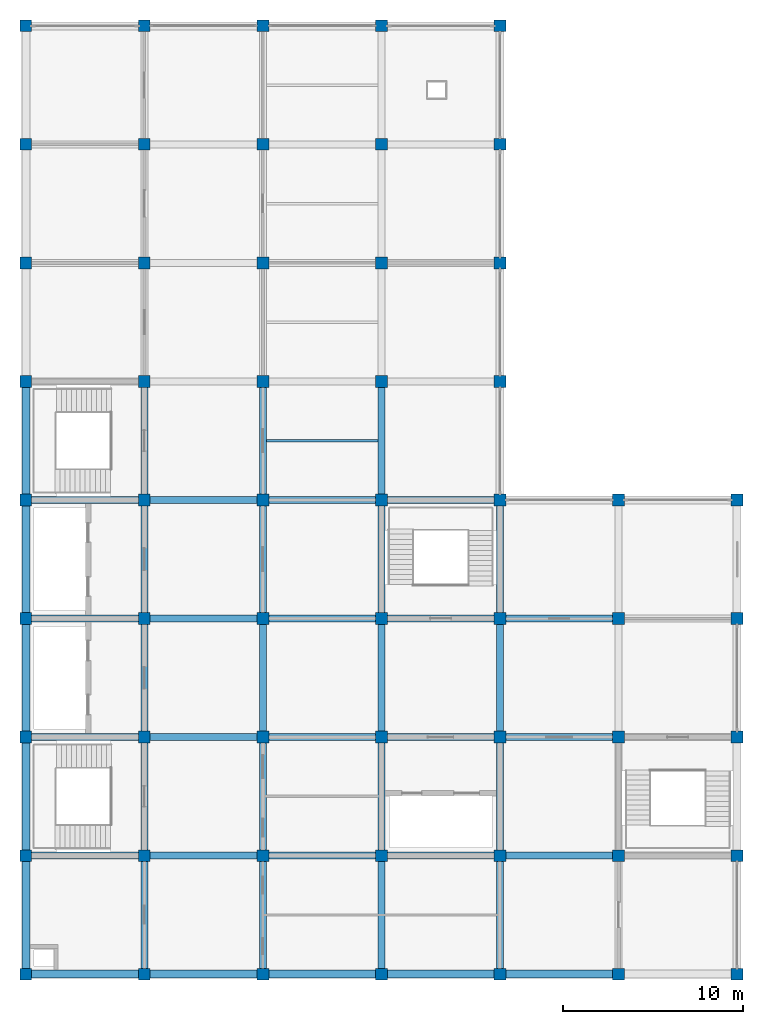
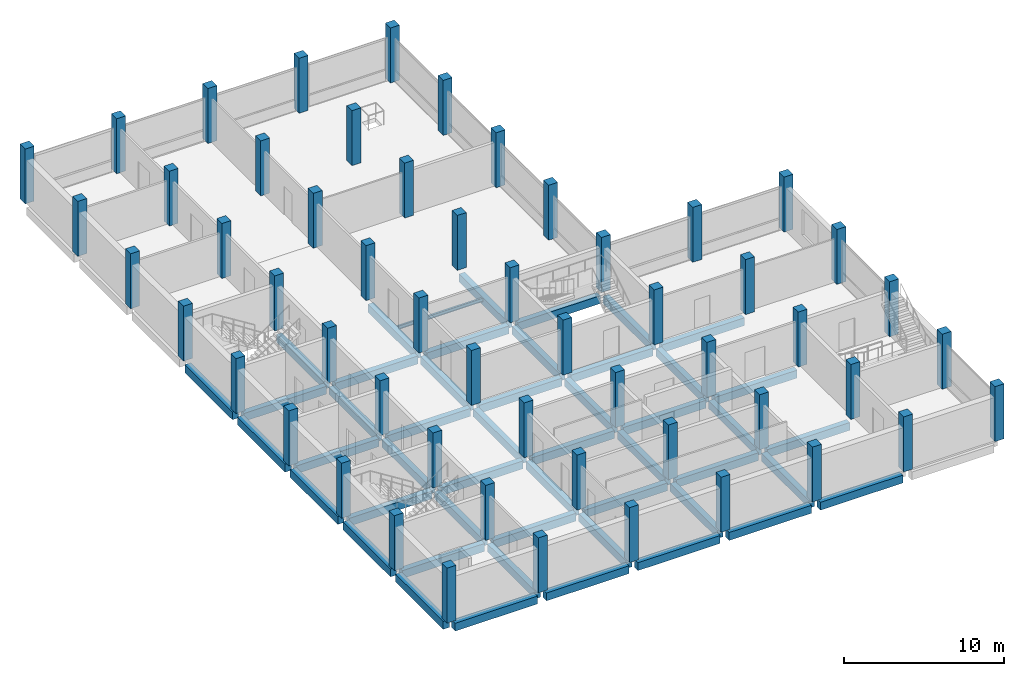
# One storey, part 1 of 9: 55 columns, 49 beams.
"""IFC4 building model written with IfcOpenShell, lengths in metres."""

from ifc_helpers import new_model, si_unit, direction, frame, origin, origin_2d, place, context, subcontext, project, spatial, rectangle, i_section, extrude, material, material_profile, profile_set, type_object, element, save


model = new_model("IFC4")

# Units and contexts
model_context = context("Model", 3, precision=1e-05, world=origin(), true_north=direction((0.0, 1.0)))
body_context = subcontext(model_context, "Body", "Model", "MODEL_VIEW")
ifc_project = project(units=[si_unit("LENGTHUNIT", "METRE"), si_unit("AREAUNIT", "SQUARE_METRE"), si_unit("VOLUMEUNIT", "CUBIC_METRE"), si_unit("PLANEANGLEUNIT", "RADIAN"), si_unit("MASSUNIT", "GRAM", prefix="KILO")], contexts=[model_context])

# Site, building, storey
site_placement = place(None, origin())
site = spatial("IfcSite", under=ifc_project, at=site_placement, CompositionType="ELEMENT")
building_placement = place(site_placement, origin())
building = spatial("IfcBuilding", under=site, at=building_placement, Name="Rusizi Kubbe Research Institute", CompositionType="ELEMENT")
storey_placement = place(building_placement, frame((0.0, 0.0, 60.60009765625)))
storey = spatial("IfcBuildingStorey", under=building, at=storey_placement, Name="L14", CompositionType="ELEMENT", Elevation=60.60009765625)

# Columns
ifc_material_1 = material(Name="Concrete C40/50", Category="concrete")
ifc_material_profile_1 = material_profile(ifc_material_1, rectangle(XDim=0.64990234375, YDim=0.64990234375, at=origin_2d()), Name="RC650x650")
ifc_profile_set_1 = profile_set([ifc_material_profile_1], Name="Concrete C40/50")
column_type = type_object("IfcColumnType", Name="COL-650", PredefinedType="COLUMN", material=ifc_profile_set_1)
for number, where, z_axis, x_axis, name in (
    (1, (0.0, 0.0, 0.0), (0.0, 0.0, 1.0), (1.0, 0.0, 0.0), "Column 1A L14"),
    (2, (0.0, 6.60009765625, 0.0), (0.0, 0.0, 1.0), (1.0, 0.0, 0.0), "Column 1B L14"),
    (3, (0.0, 13.199951171875, 0.0), (0.0, 0.0, 1.0), (1.0, 0.0, 0.0), "Column 1C L14"),
    (4, (0.0, 19.800048828125, 0.0), (0.0, 0.0, 1.0), (1.0, 0.0, 0.0), "Column 1D L14"),
    (5, (0.0, 26.39990234375, 0.0), (0.0, 0.0, 1.0), (1.0, 0.0, 0.0), "Column 1E L14"),
    (6, (0.0, 33.0, 0.0), (0.0, 0.0, 1.0), (1.0, 0.0, 0.0), "Column 1F L14"),
    (7, (0.0, 39.60009765625, 0.0), (0.0, 0.0, 1.0), (1.0, 0.0, 0.0), "Column 1G L14"),
    (8, (0.0, 46.199951171875, 0.0), (0.0, 0.0, 1.0), (1.0, 0.0, 0.0), "Column 1H L14"),
    (9, (0.0, 52.800048828125, 0.0), (0.0, 0.0, 1.0), (1.0, 0.0, 0.0), "Column 1J L14"),
    (10, (6.60009765625, 0.0, 0.0), (0.0, 0.0, 1.0), (1.0, 0.0, 0.0), "Column 2A L14"),
    (11, (6.60009765625, 6.60009765625, 0.0), (0.0, 0.0, 1.0), (1.0, 0.0, 0.0), "Column 2B L14"),
    (12, (6.60009765625, 13.199951171875, 0.0), (0.0, 0.0, 1.0), (1.0, 0.0, 0.0), "Column 2C L14"),
    (13, (6.60009765625, 19.800048828125, 0.0), (0.0, 0.0, 1.0), (1.0, 0.0, 0.0), "Column 2D L14"),
    (14, (6.60009765625, 26.39990234375, 0.0), (0.0, 0.0, 1.0), (1.0, 0.0, 0.0), "Column 2E L14"),
    (15, (6.60009765625, 33.0, 0.0), (0.0, 0.0, 1.0), (1.0, 0.0, 0.0), "Column 2F L14"),
    (16, (6.60009765625, 39.60009765625, 0.0), (0.0, 0.0, 1.0), (1.0, 0.0, 0.0), "Column 2G L14"),
    (17, (6.60009765625, 46.199951171875, 0.0), (0.0, 0.0, 1.0), (1.0, 0.0, 0.0), "Column 2H L14"),
    (18, (6.60009765625, 52.800048828125, 0.0), (0.0, 0.0, 1.0), (1.0, 0.0, 0.0), "Column 2J L14"),
    (19, (13.199951171875, 0.0, 0.0), (0.0, 0.0, 1.0), (1.0, 0.0, 0.0), "Column 3A L14"),
    (20, (13.199951171875, 6.60009765625, 0.0), (0.0, 0.0, 1.0), (1.0, 0.0, 0.0), "Column 3B L14"),
    (21, (13.199951171875, 13.199951171875, 0.0), (0.0, 0.0, 1.0), (1.0, 0.0, 0.0), "Column 3C L14"),
    (22, (13.199951171875, 19.800048828125, 0.0), (0.0, 0.0, 1.0), (1.0, 0.0, 0.0), "Column 3D L14"),
    (23, (13.199951171875, 26.39990234375, 0.0), (0.0, 0.0, 1.0), (1.0, 0.0, 0.0), "Column 3E L14"),
    (24, (13.199951171875, 33.0, 0.0), (0.0, 0.0, 1.0), (1.0, 0.0, 0.0), "Column 3F L14"),
    (25, (13.199951171875, 39.60009765625, 0.0), (0.0, 0.0, 1.0), (1.0, 0.0, 0.0), "Column 3G L14"),
    (26, (13.199951171875, 46.199951171875, 0.0), (0.0, 0.0, 1.0), (1.0, 0.0, 0.0), "Column 3H L14"),
    (27, (13.199951171875, 52.800048828125, 0.0), (0.0, 0.0, 1.0), (1.0, 0.0, 0.0), "Column 3J L14"),
    (28, (19.800048828125, 0.0, 0.0), (0.0, 0.0, 1.0), (1.0, 0.0, 0.0), "Column 4A L14"),
    (29, (19.800048828125, 6.60009765625, 0.0), (0.0, 0.0, 1.0), (1.0, 0.0, 0.0), "Column 4B L14"),
    (30, (19.800048828125, 13.199951171875, 0.0), (0.0, 0.0, 1.0), (1.0, 0.0, 0.0), "Column 4C L14"),
    (31, (19.800048828125, 19.800048828125, 0.0), (0.0, 0.0, 1.0), (1.0, 0.0, 0.0), "Column 4D L14"),
    (32, (19.800048828125, 26.39990234375, 0.0), (0.0, 0.0, 1.0), (1.0, 0.0, 0.0), "Column 4E L14"),
    (33, (19.800048828125, 33.0, 0.0), (0.0, 0.0, 1.0), (1.0, 0.0, 0.0), "Column 4F L14"),
    (34, (19.800048828125, 39.60009765625, 0.0), (0.0, 0.0, 1.0), (1.0, 0.0, 0.0), "Column 4G L14"),
    (35, (19.800048828125, 46.199951171875, 0.0), (0.0, 0.0, 1.0), (1.0, 0.0, 0.0), "Column 4H L14"),
    (36, (19.800048828125, 52.800048828125, 0.0), (0.0, 0.0, 1.0), (1.0, 0.0, 0.0), "Column 4J L14"),
    (37, (26.39990234375, 0.0, 0.0), (0.0, 0.0, 1.0), (1.0, 0.0, 0.0), "Column 5A L14"),
    (38, (26.39990234375, 6.60009765625, 0.0), (0.0, 0.0, 1.0), (1.0, 0.0, 0.0), "Column 5B L14"),
    (39, (26.39990234375, 13.199951171875, 0.0), (0.0, 0.0, 1.0), (1.0, 0.0, 0.0), "Column 5C L14"),
    (40, (26.39990234375, 19.800048828125, 0.0), (0.0, 0.0, 1.0), (1.0, 0.0, 0.0), "Column 5D L14"),
    (41, (26.39990234375, 26.39990234375, 0.0), (0.0, 0.0, 1.0), (1.0, 0.0, 0.0), "Column 5E L14"),
    (42, (26.39990234375, 33.0, 0.0), (0.0, 0.0, 1.0), (1.0, 0.0, 0.0), "Column 5F L14"),
    (43, (26.39990234375, 39.60009765625, 0.0), (0.0, 0.0, 1.0), (1.0, 0.0, 0.0), "Column 5G L14"),
    (44, (26.39990234375, 46.199951171875, 0.0), (0.0, 0.0, 1.0), (1.0, 0.0, 0.0), "Column 5H L14"),
    (45, (26.39990234375, 52.800048828125, 0.0), (0.0, 0.0, 1.0), (1.0, 0.0, 0.0), "Column 5J L14"),
    (46, (33.0, 0.0, 0.0), (0.0, 0.0, 1.0), (1.0, 0.0, 0.0), "Column 6A L14"),
    (47, (33.0, 6.60009765625, 0.0), (0.0, 0.0, 1.0), (1.0, 0.0, 0.0), "Column 6B L14"),
    (48, (33.0, 13.199951171875, 0.0), (0.0, 0.0, 1.0), (1.0, 0.0, 0.0), "Column 6C L14"),
    (49, (33.0, 19.800048828125, 0.0), (0.0, 0.0, 1.0), (1.0, 0.0, 0.0), "Column 6D L14"),
    (50, (33.0, 26.39990234375, 0.0), (0.0, 0.0, 1.0), (1.0, 0.0, 0.0), "Column 6E L14"),
    (51, (39.60009765625, 0.0, 0.0), (0.0, 0.0, 1.0), (1.0, 0.0, 0.0), "Column 7A L14"),
    (52, (39.60009765625, 6.60009765625, 0.0), (0.0, 0.0, 1.0), (1.0, 0.0, 0.0), "Column 7B L14"),
    (53, (39.60009765625, 13.199951171875, 0.0), (0.0, 0.0, 1.0), (1.0, 0.0, 0.0), "Column 7C L14"),
    (54, (39.60009765625, 19.800048828125, 0.0), (0.0, 0.0, 1.0), (1.0, 0.0, 0.0), "Column 7D L14"),
    (55, (39.60009765625, 26.39990234375, 0.0), (0.0, 0.0, 1.0), (1.0, 0.0, 0.0), "Column 7E L14"),
):
    element("IfcColumn", number, at=place(storey_placement, frame(where, z_axis=z_axis, x_axis=x_axis)), inside=storey, type_object=column_type, Name=name, PredefinedType="COLUMN", context=body_context, shape_type="SweptSolid", body=[
        extrude(rectangle(XDim=0.64990234375, YDim=0.64990234375, at=origin_2d()), origin(), (0.0, 0.0, 1.0), 4.199951171875),
    ])

# Beams
ifc_material_2 = material(Name="Steel S355", Category="steel")
ifc_material_profile_2 = material_profile(ifc_material_2, i_section(OverallWidth=0.135009765625, OverallDepth=0.27001953125, WebThickness=0.006591796875, FlangeThickness=0.01025390625, at=origin_2d()), Name="IPE 270")
ifc_profile_set_2 = profile_set([ifc_material_profile_2], Name="Steel S355")
beam_type_1 = type_object("IfcBeamType", Name="BM-IPE270", PredefinedType="JOIST", material=ifc_profile_set_2)
beam_1_placement = place(storey_placement, frame((13.39990234375, 29.699951171875, -0.43505859375), z_axis=(1.0, 0.0, 0.0), x_axis=(0.0, 1.0, 0.0)))
element("IfcBeam", 56, at=beam_1_placement, inside=storey, type_object=beam_type_1, Name="Lab Stiffener Joist L14 (2,4)", PredefinedType="JOIST", context=body_context, shape_type="SweptSolid", body=[
    extrude(i_section(OverallWidth=0.135009765625, OverallDepth=0.27001953125, WebThickness=0.006591796875, FlangeThickness=0.01025390625, at=origin_2d()), origin(), (0.0, 0.0, 1.0), 6.2001953125),
])
ifc_material_3 = material(Name="Concrete C40/50", Category="concrete")
ifc_material_profile_3 = material_profile(ifc_material_3, rectangle(XDim=0.39990234375, YDim=0.60009765625, at=origin_2d()), Name="RC400x600")
ifc_profile_set_3 = profile_set([ifc_material_profile_3], Name="Concrete C40/50")
beam_type_2 = type_object("IfcBeamType", Name="BM-RC400x600", PredefinedType="BEAM", material=ifc_profile_set_3)
for number, where, z_axis, x_axis, name in (
    (57, (0.324951171875, 6.60009765625, -0.60009765625), (1.0, 0.0, 0.0), (0.0, 1.0, 0.0), "Grid Beam H L14 (0,1)"),
    (58, (0.324951171875, 13.199951171875, -0.60009765625), (1.0, 0.0, 0.0), (0.0, 1.0, 0.0), "Grid Beam H L14 (0,2)"),
    (59, (0.324951171875, 19.800048828125, -0.60009765625), (1.0, 0.0, 0.0), (0.0, 1.0, 0.0), "Grid Beam H L14 (0,3)"),
    (60, (0.324951171875, 26.39990234375, -0.60009765625), (1.0, 0.0, 0.0), (0.0, 1.0, 0.0), "Grid Beam H L14 (0,4)"),
    (61, (6.925048828125, 6.60009765625, -0.60009765625), (1.0, 0.0, 0.0), (0.0, 1.0, 0.0), "Grid Beam H L14 (1,1)"),
    (62, (6.925048828125, 13.199951171875, -0.60009765625), (1.0, 0.0, 0.0), (0.0, 1.0, 0.0), "Grid Beam H L14 (1,2)"),
    (63, (6.925048828125, 19.800048828125, -0.60009765625), (1.0, 0.0, 0.0), (0.0, 1.0, 0.0), "Grid Beam H L14 (1,3)"),
    (64, (6.925048828125, 26.39990234375, -0.60009765625), (1.0, 0.0, 0.0), (0.0, 1.0, 0.0), "Grid Beam H L14 (1,4)"),
):
    element("IfcBeam", number, at=place(storey_placement, frame(where, z_axis=z_axis, x_axis=x_axis)), inside=storey, type_object=beam_type_2, Name=name, PredefinedType="BEAM", context=body_context, shape_type="SweptSolid", body=[
        extrude(rectangle(XDim=0.39990234375, YDim=0.60009765625, at=origin_2d()), origin(), (0.0, 0.0, 1.0), 5.949951171875),
    ])
for number, where, z_axis, x_axis, name in (
    (65, (13.52490234375, 6.60009765625, -0.60009765625), (1.0, 0.0, 0.0), (0.0, 1.0, 0.0), "Grid Beam H L14 (2,1)"),
    (66, (13.52490234375, 13.199951171875, -0.60009765625), (1.0, 0.0, 0.0), (0.0, 1.0, 0.0), "Grid Beam H L14 (2,2)"),
    (67, (13.52490234375, 19.800048828125, -0.60009765625), (1.0, 0.0, 0.0), (0.0, 1.0, 0.0), "Grid Beam H L14 (2,3)"),
    (68, (13.52490234375, 26.39990234375, -0.60009765625), (1.0, 0.0, 0.0), (0.0, 1.0, 0.0), "Grid Beam H L14 (2,4)"),
):
    element("IfcBeam", number, at=place(storey_placement, frame(where, z_axis=z_axis, x_axis=x_axis)), inside=storey, type_object=beam_type_2, Name=name, PredefinedType="BEAM", context=body_context, shape_type="SweptSolid", body=[
        extrude(rectangle(XDim=0.39990234375, YDim=0.60009765625, at=origin_2d()), origin(), (0.0, 0.0, 1.0), 5.9501953125),
    ])
for number, where, z_axis, x_axis, name in (
    (69, (20.125, 6.60009765625, -0.60009765625), (1.0, 0.0, 0.0), (0.0, 1.0, 0.0), "Grid Beam H L14 (3,1)"),
    (70, (20.125, 13.199951171875, -0.60009765625), (1.0, 0.0, 0.0), (0.0, 1.0, 0.0), "Grid Beam H L14 (3,2)"),
    (71, (20.125, 19.800048828125, -0.60009765625), (1.0, 0.0, 0.0), (0.0, 1.0, 0.0), "Grid Beam H L14 (3,3)"),
    (72, (20.125, 26.39990234375, -0.60009765625), (1.0, 0.0, 0.0), (0.0, 1.0, 0.0), "Grid Beam H L14 (3,4)"),
    (73, (26.72509765625, 6.60009765625, -0.60009765625), (1.0, 0.0, 0.0), (0.0, 1.0, 0.0), "Grid Beam H L14 (4,1)"),
    (74, (26.72509765625, 13.199951171875, -0.60009765625), (1.0, 0.0, 0.0), (0.0, 1.0, 0.0), "Grid Beam H L14 (4,2)"),
    (75, (26.72509765625, 19.800048828125, -0.60009765625), (1.0, 0.0, 0.0), (0.0, 1.0, 0.0), "Grid Beam H L14 (4,3)"),
    (76, (6.60009765625, 0.324951171875, -0.60009765625), (0.0, 1.0, 0.0), (-1.0, 0.0, 0.0), "Grid Beam V L14 (1,0)"),
    (77, (6.60009765625, 6.925048828125, -0.60009765625), (0.0, 1.0, 0.0), (-1.0, 0.0, 0.0), "Grid Beam V L14 (1,1)"),
):
    element("IfcBeam", number, at=place(storey_placement, frame(where, z_axis=z_axis, x_axis=x_axis)), inside=storey, type_object=beam_type_2, Name=name, PredefinedType="BEAM", context=body_context, shape_type="SweptSolid", body=[
        extrude(rectangle(XDim=0.39990234375, YDim=0.60009765625, at=origin_2d()), origin(), (0.0, 0.0, 1.0), 5.949951171875),
    ])
beam_2_placement = place(storey_placement, frame((6.60009765625, 13.52490234375, -0.60009765625), z_axis=(0.0, 1.0, 0.0), x_axis=(-1.0, 0.0, 0.0)))
element("IfcBeam", 78, at=beam_2_placement, inside=storey, type_object=beam_type_2, Name="Grid Beam V L14 (1,2)", PredefinedType="BEAM", context=body_context, shape_type="SweptSolid", body=[
    extrude(rectangle(XDim=0.39990234375, YDim=0.60009765625, at=origin_2d()), origin(), (0.0, 0.0, 1.0), 5.9501953125),
])
for number, where, z_axis, x_axis, name in (
    (79, (6.60009765625, 20.125, -0.60009765625), (0.0, 1.0, 0.0), (-1.0, 0.0, 0.0), "Grid Beam V L14 (1,3)"),
    (80, (6.60009765625, 26.72509765625, -0.60009765625), (0.0, 1.0, 0.0), (-1.0, 0.0, 0.0), "Grid Beam V L14 (1,4)"),
    (81, (13.199951171875, 0.324951171875, -0.60009765625), (0.0, 1.0, 0.0), (-1.0, 0.0, 0.0), "Grid Beam V L14 (2,0)"),
    (82, (13.199951171875, 6.925048828125, -0.60009765625), (0.0, 1.0, 0.0), (-1.0, 0.0, 0.0), "Grid Beam V L14 (2,1)"),
):
    element("IfcBeam", number, at=place(storey_placement, frame(where, z_axis=z_axis, x_axis=x_axis)), inside=storey, type_object=beam_type_2, Name=name, PredefinedType="BEAM", context=body_context, shape_type="SweptSolid", body=[
        extrude(rectangle(XDim=0.39990234375, YDim=0.60009765625, at=origin_2d()), origin(), (0.0, 0.0, 1.0), 5.949951171875),
    ])
beam_3_placement = place(storey_placement, frame((13.199951171875, 13.52490234375, -0.60009765625), z_axis=(0.0, 1.0, 0.0), x_axis=(-1.0, 0.0, 0.0)))
element("IfcBeam", 83, at=beam_3_placement, inside=storey, type_object=beam_type_2, Name="Grid Beam V L14 (2,2)", PredefinedType="BEAM", context=body_context, shape_type="SweptSolid", body=[
    extrude(rectangle(XDim=0.39990234375, YDim=0.60009765625, at=origin_2d()), origin(), (0.0, 0.0, 1.0), 5.9501953125),
])
for number, where, z_axis, x_axis, name in (
    (84, (13.199951171875, 20.125, -0.60009765625), (0.0, 1.0, 0.0), (-1.0, 0.0, 0.0), "Grid Beam V L14 (2,3)"),
    (85, (13.199951171875, 26.72509765625, -0.60009765625), (0.0, 1.0, 0.0), (-1.0, 0.0, 0.0), "Grid Beam V L14 (2,4)"),
    (86, (19.800048828125, 0.324951171875, -0.60009765625), (0.0, 1.0, 0.0), (-1.0, 0.0, 0.0), "Grid Beam V L14 (3,0)"),
    (87, (19.800048828125, 6.925048828125, -0.60009765625), (0.0, 1.0, 0.0), (-1.0, 0.0, 0.0), "Grid Beam V L14 (3,1)"),
):
    element("IfcBeam", number, at=place(storey_placement, frame(where, z_axis=z_axis, x_axis=x_axis)), inside=storey, type_object=beam_type_2, Name=name, PredefinedType="BEAM", context=body_context, shape_type="SweptSolid", body=[
        extrude(rectangle(XDim=0.39990234375, YDim=0.60009765625, at=origin_2d()), origin(), (0.0, 0.0, 1.0), 5.949951171875),
    ])
beam_4_placement = place(storey_placement, frame((19.800048828125, 13.52490234375, -0.60009765625), z_axis=(0.0, 1.0, 0.0), x_axis=(-1.0, 0.0, 0.0)))
element("IfcBeam", 88, at=beam_4_placement, inside=storey, type_object=beam_type_2, Name="Grid Beam V L14 (3,2)", PredefinedType="BEAM", context=body_context, shape_type="SweptSolid", body=[
    extrude(rectangle(XDim=0.39990234375, YDim=0.60009765625, at=origin_2d()), origin(), (0.0, 0.0, 1.0), 5.9501953125),
])
for number, where, z_axis, x_axis, name in (
    (89, (19.800048828125, 20.125, -0.60009765625), (0.0, 1.0, 0.0), (-1.0, 0.0, 0.0), "Grid Beam V L14 (3,3)"),
    (90, (19.800048828125, 26.72509765625, -0.60009765625), (0.0, 1.0, 0.0), (-1.0, 0.0, 0.0), "Grid Beam V L14 (3,4)"),
    (91, (26.39990234375, 0.324951171875, -0.60009765625), (0.0, 1.0, 0.0), (-1.0, 0.0, 0.0), "Grid Beam V L14 (4,0)"),
    (92, (26.39990234375, 6.925048828125, -0.60009765625), (0.0, 1.0, 0.0), (-1.0, 0.0, 0.0), "Grid Beam V L14 (4,1)"),
):
    element("IfcBeam", number, at=place(storey_placement, frame(where, z_axis=z_axis, x_axis=x_axis)), inside=storey, type_object=beam_type_2, Name=name, PredefinedType="BEAM", context=body_context, shape_type="SweptSolid", body=[
        extrude(rectangle(XDim=0.39990234375, YDim=0.60009765625, at=origin_2d()), origin(), (0.0, 0.0, 1.0), 5.949951171875),
    ])
beam_5_placement = place(storey_placement, frame((26.39990234375, 13.52490234375, -0.60009765625), z_axis=(0.0, 1.0, 0.0), x_axis=(-1.0, 0.0, 0.0)))
element("IfcBeam", 93, at=beam_5_placement, inside=storey, type_object=beam_type_2, Name="Grid Beam V L14 (4,2)", PredefinedType="BEAM", context=body_context, shape_type="SweptSolid", body=[
    extrude(rectangle(XDim=0.39990234375, YDim=0.60009765625, at=origin_2d()), origin(), (0.0, 0.0, 1.0), 5.9501953125),
])
beam_6_placement = place(storey_placement, frame((26.39990234375, 20.125, -0.60009765625), z_axis=(0.0, 1.0, 0.0), x_axis=(-1.0, 0.0, 0.0)))
element("IfcBeam", 94, at=beam_6_placement, inside=storey, type_object=beam_type_2, Name="Grid Beam V L14 (4,3)", PredefinedType="BEAM", context=body_context, shape_type="SweptSolid", body=[
    extrude(rectangle(XDim=0.39990234375, YDim=0.60009765625, at=origin_2d()), origin(), (0.0, 0.0, 1.0), 5.949951171875),
])
ifc_material_4 = material(Name="Concrete C40/50", Category="concrete")
ifc_material_profile_4 = material_profile(ifc_material_4, rectangle(XDim=0.449951171875, YDim=0.60009765625, at=origin_2d()), Name="RC450x600")
ifc_profile_set_4 = profile_set([ifc_material_profile_4], Name="Concrete C40/50")
beam_type_3 = type_object("IfcBeamType", Name="BM-RC450x600", PredefinedType="SPANDREL", material=ifc_profile_set_4)
for number, where, z_axis, x_axis, name in (
    (95, (0.324951171875, 0.0, -0.60009765625), (1.0, 0.0, 0.0), (0.0, 1.0, 0.0), "Grid Beam H L14 (0,0)"),
    (96, (6.925048828125, 0.0, -0.60009765625), (1.0, 0.0, 0.0), (0.0, 1.0, 0.0), "Grid Beam H L14 (1,0)"),
):
    element("IfcBeam", number, at=place(storey_placement, frame(where, z_axis=z_axis, x_axis=x_axis)), inside=storey, type_object=beam_type_3, Name=name, PredefinedType="SPANDREL", context=body_context, shape_type="SweptSolid", body=[
        extrude(rectangle(XDim=0.449951171875, YDim=0.60009765625, at=origin_2d()), origin(), (0.0, 0.0, 1.0), 5.949951171875),
    ])
beam_7_placement = place(storey_placement, frame((13.52490234375, 0.0, -0.60009765625), z_axis=(1.0, 0.0, 0.0), x_axis=(0.0, 1.0, 0.0)))
element("IfcBeam", 97, at=beam_7_placement, inside=storey, type_object=beam_type_3, Name="Grid Beam H L14 (2,0)", PredefinedType="SPANDREL", context=body_context, shape_type="SweptSolid", body=[
    extrude(rectangle(XDim=0.449951171875, YDim=0.60009765625, at=origin_2d()), origin(), (0.0, 0.0, 1.0), 5.9501953125),
])
for number, where, z_axis, x_axis, name in (
    (98, (20.125, 0.0, -0.60009765625), (1.0, 0.0, 0.0), (0.0, 1.0, 0.0), "Grid Beam H L14 (3,0)"),
    (99, (26.72509765625, 0.0, -0.60009765625), (1.0, 0.0, 0.0), (0.0, 1.0, 0.0), "Grid Beam H L14 (4,0)"),
    (100, (0.0, 0.324951171875, -0.60009765625), (0.0, 1.0, 0.0), (-1.0, 0.0, 0.0), "Grid Beam V L14 (0,0)"),
    (101, (0.0, 6.925048828125, -0.60009765625), (0.0, 1.0, 0.0), (-1.0, 0.0, 0.0), "Grid Beam V L14 (0,1)"),
):
    element("IfcBeam", number, at=place(storey_placement, frame(where, z_axis=z_axis, x_axis=x_axis)), inside=storey, type_object=beam_type_3, Name=name, PredefinedType="SPANDREL", context=body_context, shape_type="SweptSolid", body=[
        extrude(rectangle(XDim=0.449951171875, YDim=0.60009765625, at=origin_2d()), origin(), (0.0, 0.0, 1.0), 5.949951171875),
    ])
beam_8_placement = place(storey_placement, frame((0.0, 13.52490234375, -0.60009765625), z_axis=(0.0, 1.0, 0.0), x_axis=(-1.0, 0.0, 0.0)))
element("IfcBeam", 102, at=beam_8_placement, inside=storey, type_object=beam_type_3, Name="Grid Beam V L14 (0,2)", PredefinedType="SPANDREL", context=body_context, shape_type="SweptSolid", body=[
    extrude(rectangle(XDim=0.449951171875, YDim=0.60009765625, at=origin_2d()), origin(), (0.0, 0.0, 1.0), 5.9501953125),
])
for number, where, z_axis, x_axis, name in (
    (103, (0.0, 20.125, -0.60009765625), (0.0, 1.0, 0.0), (-1.0, 0.0, 0.0), "Grid Beam V L14 (0,3)"),
    (104, (0.0, 26.72509765625, -0.60009765625), (0.0, 1.0, 0.0), (-1.0, 0.0, 0.0), "Grid Beam V L14 (0,4)"),
):
    element("IfcBeam", number, at=place(storey_placement, frame(where, z_axis=z_axis, x_axis=x_axis)), inside=storey, type_object=beam_type_3, Name=name, PredefinedType="SPANDREL", context=body_context, shape_type="SweptSolid", body=[
        extrude(rectangle(XDim=0.449951171875, YDim=0.60009765625, at=origin_2d()), origin(), (0.0, 0.0, 1.0), 5.949951171875),
    ])

save(model, "model.ifc")
